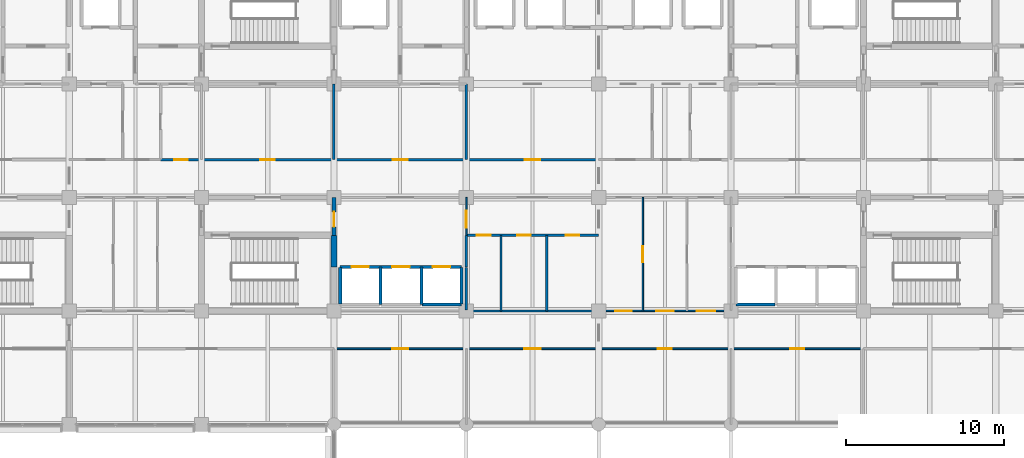
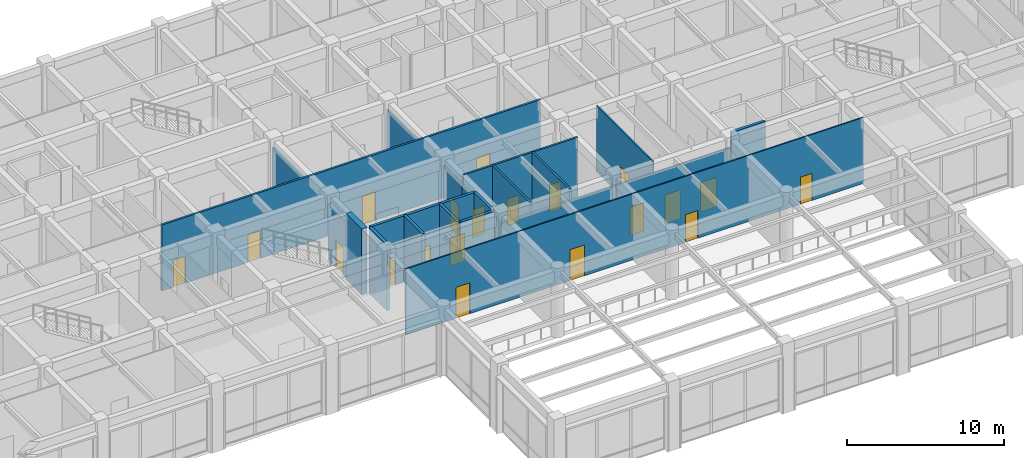
# One storey, part 36 of 58: 22 walls, 20 doors, 20 openings.
"""IFC4 building model written with IfcOpenShell, lengths in metres."""

from ifc_helpers import new_model, si_unit, direction, frame, frame_2d, origin, place, context, subcontext, project, spatial, rectangle, extrude, material, layer, layer_set, type_object, element, fill, save


model = new_model("IFC4")

# Units and contexts
model_context = context("Model", 3, precision=1e-05, world=origin(), true_north=direction((0.0, 1.0)))
body_context = subcontext(model_context, "Body", "Model", "MODEL_VIEW")
ifc_project = project(units=[si_unit("LENGTHUNIT", "METRE"), si_unit("AREAUNIT", "SQUARE_METRE"), si_unit("VOLUMEUNIT", "CUBIC_METRE"), si_unit("PLANEANGLEUNIT", "RADIAN"), si_unit("MASSUNIT", "GRAM", prefix="KILO")], contexts=[model_context])

# Site, building, storey
site_placement = place(None, origin())
site = spatial("IfcSite", under=ifc_project, at=site_placement, CompositionType="ELEMENT")
building_placement = place(site_placement, origin())
building = spatial("IfcBuilding", under=site, at=building_placement, Name="Chengyuan Square Courthouse", CompositionType="ELEMENT")
storey_placement = place(building_placement, frame((0.0, 0.0, 16.199951171875)))
storey = spatial("IfcBuildingStorey", under=building, at=storey_placement, Name="L04", CompositionType="ELEMENT", Elevation=16.199951171875)

# Wall, opening, door
ifc_material_1 = material(Name="Concrete C40", Category="concrete")
ifc_layer_1 = layer(ifc_material_1, 0.25)
ifc_layer_set_1 = layer_set([ifc_layer_1], Name="Concrete C40")
wall_type_1 = type_object("IfcWallType", Name="WL-FW1", PredefinedType="STANDARD", material=ifc_layer_set_1)
wall_1_placement = place(storey_placement, frame((67.199951171875, 91.199951171875, 0.0), z_axis=(0.0, 0.0, 1.0), x_axis=(0.0, 1.0, 0.0)))
wall_1 = element("IfcWall", 1, at=wall_1_placement, inside=storey, type_object=wall_type_1, Name="Interior Wall WL-L04-I1976", PredefinedType="STANDARD", context=body_context, shape_type="SweptSolid", body=[
    extrude(rectangle(XDim=2.400146484375, YDim=0.25, at=frame_2d((1.2001953125, 0.0))), origin(), (0.0, 0.0, 1.0), 4.3701171875),
])
opening_1_placement = place(wall_1_placement, frame((0.5400390625, 0.0, 0.0)))
opening_1 = element("IfcOpeningElement", 2, at=opening_1_placement, cuts=wall_1, Name="Opening DR-1639", PredefinedType="OPENING", context=body_context, shape_type="SweptSolid", body=[
    extrude(rectangle(XDim=0.949951171875, YDim=2.14990234375, at=frame_2d((0.47509765625, 1.074951171875))), frame((0.0, 0.136962890625, 0.0), z_axis=(0.0, -1.0, 0.0), x_axis=(1.0, 0.0, 0.0)), (0.0, 0.0, 1.0), 0.27392578125),
])
ifc_material_2 = material(Name="Steel Q235B Fire Door", Category="steel")
door_type_1 = type_object("IfcDoorType", Name="DT-12", OperationType="NOTDEFINED", PredefinedType="DOOR", material=ifc_material_2)
door_1_placement = place(opening_1_placement, origin())
door_1 = element("IfcDoor", 3, at=door_1_placement, inside=storey, type_object=door_type_1, Name="Interior Door DR-1639", OperationType="SINGLE_SWING_LEFT", OverallHeight=2.14990234375, OverallWidth=0.949951171875, PredefinedType="DOOR", context=body_context, shape_type="SweptSolid", body=[
    extrude(rectangle(XDim=0.949951171875, YDim=2.14990234375, at=frame_2d((0.47509765625, 1.074951171875))), frame((0.0, 0.02490234375, 0.0), z_axis=(0.0, -1.0, 0.0), x_axis=(1.0, 0.0, 0.0)), (0.0, 0.0, 1.0), 0.050048828125),
])
fill(opening_1, door_1)

# Wall, openings, doors
ifc_material_3 = material(Name="Deliberation Room Sound-Insulated Partition")
ifc_layer_2 = layer(ifc_material_3, 0.14990234375)
ifc_layer_set_2 = layer_set([ifc_layer_2], Name="Deliberation Room Sound-Insulated Partition")
wall_type_2 = type_object("IfcWallType", Name="WL-PT3", PredefinedType="STANDARD", material=ifc_layer_set_2)
wall_2_placement = place(storey_placement, frame((56.199951171875, 96.0, 0.0), z_axis=(0.0, 0.0, 1.0), x_axis=(1.0, 0.0, 0.0)))
wall_2 = element("IfcWall", 4, at=wall_2_placement, inside=storey, type_object=wall_type_2, Name="Interior Wall WL-L04-I1827", PredefinedType="STANDARD", context=body_context, shape_type="SweptSolid", body=[
    extrude(rectangle(XDim=27.800048828125, YDim=0.14990234375, at=frame_2d((13.89990234375, 0.0))), origin(), (0.0, 0.0, 1.0), 5.1201171875),
])
opening_2_placement = place(wall_2_placement, frame((0.8701171875, 0.0, 0.0)))
opening_2 = element("IfcOpeningElement", 5, at=opening_2_placement, cuts=wall_2, Name="Opening DR-1765", PredefinedType="OPENING", context=body_context, shape_type="SweptSolid", body=[
    extrude(rectangle(XDim=0.860107421875, YDim=2.10009765625, at=frame_2d((0.43017578125, 1.050048828125))), frame((0.0, 0.0869140625, 0.0), z_axis=(0.0, -1.0, 0.0), x_axis=(1.0, 0.0, 0.0)), (0.0, 0.0, 1.0), 0.173828125),
])
opening_3_placement = place(wall_2_placement, frame((6.340087890625, 0.0, 0.0)))
opening_3 = element("IfcOpeningElement", 6, at=opening_3_placement, cuts=wall_2, Name="Opening DR-1766", PredefinedType="OPENING", context=body_context, shape_type="SweptSolid", body=[
    extrude(rectangle(XDim=0.919921875, YDim=2.14990234375, at=frame_2d((0.4599609375, 1.074951171875))), frame((0.0, 0.0869140625, 0.0), z_axis=(0.0, -1.0, 0.0), x_axis=(1.0, 0.0, 0.0)), (0.0, 0.0, 1.0), 0.173828125),
])
opening_4_placement = place(wall_2_placement, frame((14.719970703125, 0.0, 0.0)))
opening_4 = element("IfcOpeningElement", 7, at=opening_4_placement, cuts=wall_2, Name="Opening DR-1767", PredefinedType="OPENING", context=body_context, shape_type="SweptSolid", body=[
    extrude(rectangle(XDim=0.9599609375, YDim=2.199951171875, at=frame_2d((0.47998046875, 1.10009765625))), frame((0.0, 0.0869140625, 0.0), z_axis=(0.0, -1.0, 0.0), x_axis=(1.0, 0.0, 0.0)), (0.0, 0.0, 1.0), 0.173828125),
])
opening_5_placement = place(wall_2_placement, frame((23.10009765625, 0.0, 0.0)))
opening_5 = element("IfcOpeningElement", 8, at=opening_5_placement, cuts=wall_2, Name="Opening DR-1768", PredefinedType="OPENING", context=body_context, shape_type="SweptSolid", body=[
    extrude(rectangle(XDim=1.0, YDim=2.25, at=frame_2d((0.5, 1.125))), frame((0.0, 0.0869140625, 0.0), z_axis=(0.0, -1.0, 0.0), x_axis=(1.0, 0.0, 0.0)), (0.0, 0.0, 1.0), 0.173828125),
])
ifc_material_4 = material(Name="Acoustic Solid-Core Timber Door", Category="wood")
door_type_2 = type_object("IfcDoorType", Name="DT-28", OperationType="NOTDEFINED", PredefinedType="DOOR", material=ifc_material_4)
door_2_placement = place(opening_2_placement, origin())
door_2 = element("IfcDoor", 9, at=door_2_placement, inside=storey, type_object=door_type_2, Name="Interior Door DR-1765", OperationType="SINGLE_SWING_LEFT", OverallHeight=2.10009765625, OverallWidth=0.860107421875, PredefinedType="DOOR", context=body_context, shape_type="SweptSolid", body=[
    extrude(rectangle(XDim=0.860107421875, YDim=2.10009765625, at=frame_2d((0.43017578125, 1.050048828125))), frame((0.0, 0.02490234375, 0.0), z_axis=(0.0, -1.0, 0.0), x_axis=(1.0, 0.0, 0.0)), (0.0, 0.0, 1.0), 0.050048828125),
])
fill(opening_2, door_2)
door_type_3 = type_object("IfcDoorType", Name="DT-29", OperationType="NOTDEFINED", PredefinedType="DOOR", material=ifc_material_4)
door_3_placement = place(opening_3_placement, origin())
door_3 = element("IfcDoor", 10, at=door_3_placement, inside=storey, type_object=door_type_3, Name="Interior Door DR-1766", OperationType="SINGLE_SWING_RIGHT", OverallHeight=2.14990234375, OverallWidth=0.919921875, PredefinedType="DOOR", context=body_context, shape_type="SweptSolid", body=[
    extrude(rectangle(XDim=0.919921875, YDim=2.14990234375, at=frame_2d((0.4599609375, 1.074951171875))), frame((0.0, 0.02490234375, 0.0), z_axis=(0.0, -1.0, 0.0), x_axis=(1.0, 0.0, 0.0)), (0.0, 0.0, 1.0), 0.050048828125),
])
fill(opening_3, door_3)
door_type_4 = type_object("IfcDoorType", Name="DT-30", OperationType="NOTDEFINED", PredefinedType="DOOR", material=ifc_material_4)
door_4_placement = place(opening_4_placement, origin())
door_4 = element("IfcDoor", 11, at=door_4_placement, inside=storey, type_object=door_type_4, Name="Interior Door DR-1767", OperationType="SINGLE_SWING_LEFT", OverallHeight=2.199951171875, OverallWidth=0.9599609375, PredefinedType="DOOR", context=body_context, shape_type="SweptSolid", body=[
    extrude(rectangle(XDim=0.9599609375, YDim=2.199951171875, at=frame_2d((0.47998046875, 1.10009765625))), frame((0.0, 0.02490234375, 0.0), z_axis=(0.0, -1.0, 0.0), x_axis=(1.0, 0.0, 0.0)), (0.0, 0.0, 1.0), 0.050048828125),
])
fill(opening_4, door_4)
door_type_5 = type_object("IfcDoorType", Name="DT-31", OperationType="NOTDEFINED", PredefinedType="DOOR", material=ifc_material_4)
door_5_placement = place(opening_5_placement, origin())
door_5 = element("IfcDoor", 12, at=door_5_placement, inside=storey, type_object=door_type_5, Name="Interior Door DR-1768", OperationType="SINGLE_SWING_RIGHT", OverallHeight=2.25, OverallWidth=1.0, PredefinedType="DOOR", context=body_context, shape_type="SweptSolid", body=[
    extrude(rectangle(XDim=1.0, YDim=2.25, at=frame_2d((0.5, 1.125))), frame((0.0, 0.02490234375, 0.0), z_axis=(0.0, -1.0, 0.0), x_axis=(1.0, 0.0, 0.0)), (0.0, 0.0, 1.0), 0.050048828125),
])
fill(opening_5, door_5)

# Walls
for number, where, z_axis, x_axis, name in (
    (13, (67.199951171875, 96.0, 0.0), (0.0, 0.0, 1.0), (0.0, 1.0, 0.0), "Interior Wall WL-L04-I1977"),
    (14, (75.60009765625, 96.0, 0.0), (0.0, 0.0, 1.0), (0.0, 1.0, 0.0), "Interior Wall WL-L04-I1994"),
):
    element("IfcWall", number, at=place(storey_placement, frame(where, z_axis=z_axis, x_axis=x_axis)), inside=storey, type_object=wall_type_2, Name=name, PredefinedType="STANDARD", context=body_context, shape_type="SweptSolid", body=[
        extrude(rectangle(XDim=4.800048828125, YDim=0.14990234375, at=frame_2d((2.39990234375, 0.0))), origin(), (0.0, 0.0, 1.0), 4.3701171875),
    ])
ifc_material_5 = material(Name="Moisture-Resistant Masonry Wet-Room Partition", Category="masonry")
ifc_layer_3 = layer(ifc_material_5, 0.139892578125)
ifc_layer_set_3 = layer_set([ifc_layer_3], Name="Moisture-Resistant Masonry Wet-Room Partition")
wall_type_3 = type_object("IfcWallType", Name="WL-PT4", PredefinedType="STANDARD", material=ifc_layer_set_3)
wall_3_placement = place(storey_placement, frame((75.60009765625, 86.39990234375, 0.0), z_axis=(0.0, 0.0, 1.0), x_axis=(1.0, 0.0, 0.0)))
element("IfcWall", 15, at=wall_3_placement, inside=storey, type_object=wall_type_3, Name="Interior Wall WL-L04-I1785", PredefinedType="STANDARD", context=body_context, shape_type="SweptSolid", body=[
    extrude(rectangle(XDim=8.39990234375, YDim=0.139892578125, at=frame_2d((4.199951171875, 0.0))), origin(), (0.0, 0.0, 1.0), 4.27001953125),
])

# Wall, openings, doors
wall_4_placement = place(storey_placement, frame((75.60009765625, 91.199951171875, 0.0), z_axis=(0.0, 0.0, 1.0), x_axis=(1.0, 0.0, 0.0)))
wall_4 = element("IfcWall", 16, at=wall_4_placement, inside=storey, type_object=wall_type_3, Name="Interior Wall WL-L04-I1805", PredefinedType="STANDARD", context=body_context, shape_type="SweptSolid", body=[
    extrude(rectangle(XDim=8.39990234375, YDim=0.139892578125, at=frame_2d((4.199951171875, 0.0))), origin(), (0.0, 0.0, 1.0), 5.1201171875),
])
opening_6_placement = place(wall_4_placement, frame((0.64990234375, 0.0, 0.0)))
opening_6 = element("IfcOpeningElement", 17, at=opening_6_placement, cuts=wall_4, Name="Opening DR-1738", PredefinedType="OPENING", context=body_context, shape_type="SweptSolid", body=[
    extrude(rectangle(XDim=0.89990234375, YDim=2.14990234375, at=frame_2d((0.449951171875, 1.074951171875))), frame((0.0, 0.08203125, 0.0), z_axis=(0.0, -1.0, 0.0), x_axis=(1.0, 0.0, 0.0)), (0.0, 0.0, 1.0), 0.163818359375),
])
opening_7_placement = place(wall_4_placement, frame((3.219970703125, 0.0, 0.0)))
opening_7 = element("IfcOpeningElement", 18, at=opening_7_placement, cuts=wall_4, Name="Opening DR-1739", PredefinedType="OPENING", context=body_context, shape_type="SweptSolid", body=[
    extrude(rectangle(XDim=0.860107421875, YDim=2.10009765625, at=frame_2d((0.43017578125, 1.050048828125))), frame((0.0, 0.08203125, 0.0), z_axis=(0.0, -1.0, 0.0), x_axis=(1.0, 0.0, 0.0)), (0.0, 0.0, 1.0), 0.163818359375),
])
opening_8_placement = place(wall_4_placement, frame((6.320068359375, 0.0, 0.0)))
opening_8 = element("IfcOpeningElement", 19, at=opening_8_placement, cuts=wall_4, Name="Opening DR-1740", PredefinedType="OPENING", context=body_context, shape_type="SweptSolid", body=[
    extrude(rectangle(XDim=0.860107421875, YDim=2.10009765625, at=frame_2d((0.43017578125, 1.050048828125))), frame((0.0, 0.08203125, 0.0), z_axis=(0.0, -1.0, 0.0), x_axis=(1.0, 0.0, 0.0)), (0.0, 0.0, 1.0), 0.163818359375),
])
door_type_6 = type_object("IfcDoorType", Name="DT-27", OperationType="NOTDEFINED", PredefinedType="DOOR", material=ifc_material_4)
door_6_placement = place(opening_6_placement, origin())
door_6 = element("IfcDoor", 20, at=door_6_placement, inside=storey, type_object=door_type_6, Name="Interior Door DR-1738", OperationType="SINGLE_SWING_LEFT", OverallHeight=2.14990234375, OverallWidth=0.89990234375, PredefinedType="DOOR", context=body_context, shape_type="SweptSolid", body=[
    extrude(rectangle(XDim=0.89990234375, YDim=2.14990234375, at=frame_2d((0.449951171875, 1.074951171875))), frame((0.0, 0.02490234375, 0.0), z_axis=(0.0, -1.0, 0.0), x_axis=(1.0, 0.0, 0.0)), (0.0, 0.0, 1.0), 0.050048828125),
])
fill(opening_6, door_6)
door_7_placement = place(opening_7_placement, origin())
door_7 = element("IfcDoor", 21, at=door_7_placement, inside=storey, type_object=door_type_2, Name="Interior Door DR-1739", OperationType="SINGLE_SWING_RIGHT", OverallHeight=2.10009765625, OverallWidth=0.860107421875, PredefinedType="DOOR", context=body_context, shape_type="SweptSolid", body=[
    extrude(rectangle(XDim=0.860107421875, YDim=2.10009765625, at=frame_2d((0.43017578125, 1.050048828125))), frame((0.0, 0.02490234375, 0.0), z_axis=(0.0, -1.0, 0.0), x_axis=(1.0, 0.0, 0.0)), (0.0, 0.0, 1.0), 0.050048828125),
])
fill(opening_7, door_7)
door_8_placement = place(opening_8_placement, origin())
door_8 = element("IfcDoor", 22, at=door_8_placement, inside=storey, type_object=door_type_2, Name="Interior Door DR-1740", OperationType="SINGLE_SWING_LEFT", OverallHeight=2.10009765625, OverallWidth=0.860107421875, PredefinedType="DOOR", context=body_context, shape_type="SweptSolid", body=[
    extrude(rectangle(XDim=0.860107421875, YDim=2.10009765625, at=frame_2d((0.43017578125, 1.050048828125))), frame((0.0, 0.02490234375, 0.0), z_axis=(0.0, -1.0, 0.0), x_axis=(1.0, 0.0, 0.0)), (0.0, 0.0, 1.0), 0.050048828125),
])
fill(opening_8, door_8)

# Walls
wall_5_placement = place(storey_placement, frame((75.60009765625, 86.449951171875, 0.0), z_axis=(0.0, 0.0, 1.0), x_axis=(0.0, 1.0, 0.0)))
element("IfcWall", 23, at=wall_5_placement, inside=storey, type_object=wall_type_3, Name="Interior Wall WL-L04-I1991", PredefinedType="STANDARD", context=body_context, shape_type="SweptSolid", body=[
    extrude(rectangle(XDim=2.699951171875, YDim=0.139892578125, at=frame_2d((1.35009765625, 0.0))), origin(), (0.0, 0.0, 1.0), 4.3701171875),
])
wall_6_placement = place(storey_placement, frame((75.60009765625, 89.199951171875, 0.0), z_axis=(0.0, 0.0, 1.0), x_axis=(0.0, 1.0, 0.0)))
element("IfcWall", 24, at=wall_6_placement, inside=storey, type_object=wall_type_3, Name="Interior Wall WL-L04-I1992", PredefinedType="STANDARD", context=body_context, shape_type="SweptSolid", body=[
    extrude(rectangle(XDim=2.0, YDim=0.139892578125, at=frame_2d((1.0, 0.0))), origin(), (0.0, 0.0, 1.0), 4.3701171875),
])
for number, where, z_axis, x_axis, name in (
    (25, (77.800048828125, 86.39990234375, 0.0), (0.0, 0.0, 1.0), (0.0, 1.0, 0.0), "Interior Wall WL-L04-I1999"),
    (26, (80.699951171875, 86.39990234375, 0.0), (0.0, 0.0, 1.0), (0.0, 1.0, 0.0), "Interior Wall WL-L04-I2002"),
):
    element("IfcWall", number, at=place(storey_placement, frame(where, z_axis=z_axis, x_axis=x_axis)), inside=storey, type_object=wall_type_3, Name=name, PredefinedType="STANDARD", context=body_context, shape_type="SweptSolid", body=[
        extrude(rectangle(XDim=4.800048828125, YDim=0.139892578125, at=frame_2d((2.39990234375, 0.0))), origin(), (0.0, 0.0, 1.0), 5.1201171875),
    ])

# Wall, openings, doors
ifc_material_6 = material(Name="Gypsum Plasterboard Acoustic Stud Partition")
ifc_layer_4 = layer(ifc_material_6, 0.10009765625)
ifc_layer_set_4 = layer_set([ifc_layer_4], Name="Gypsum Plasterboard Acoustic Stud Partition")
wall_type_4 = type_object("IfcWallType", Name="WL-PT6", PredefinedType="STANDARD", material=ifc_layer_set_4)
wall_7_placement = place(storey_placement, frame((67.199951171875, 84.0, 0.0), z_axis=(0.0, 0.0, 1.0), x_axis=(1.0, 0.0, 0.0)))
wall_7 = element("IfcWall", 27, at=wall_7_placement, inside=storey, type_object=wall_type_4, Name="Interior Wall WL-L04-I1775", PredefinedType="STANDARD", context=body_context, shape_type="SweptSolid", body=[
    extrude(rectangle(XDim=33.60009765625, YDim=0.10009765625, at=frame_2d((16.800048828125, 0.0))), origin(), (0.0, 0.0, 1.0), 5.1201171875),
])
opening_9_placement = place(wall_7_placement, frame((3.68994140625, 0.0, 0.0)))
opening_9 = element("IfcOpeningElement", 28, at=opening_9_placement, cuts=wall_7, Name="Opening DR-1880", PredefinedType="OPENING", context=body_context, shape_type="SweptSolid", body=[
    extrude(rectangle(XDim=1.02001953125, YDim=2.39990234375, at=frame_2d((0.510009765625, 1.199951171875))), frame((0.0, 0.06201171875, 0.0), z_axis=(0.0, -1.0, 0.0), x_axis=(1.0, 0.0, 0.0)), (0.0, 0.0, 1.0), 0.1240234375),
])
opening_10_placement = place(wall_7_placement, frame((12.070068359375, 0.0, 0.0)))
opening_10 = element("IfcOpeningElement", 29, at=opening_10_placement, cuts=wall_7, Name="Opening DR-1881", PredefinedType="OPENING", context=body_context, shape_type="SweptSolid", body=[
    extrude(rectangle(XDim=1.06005859375, YDim=2.39990234375, at=frame_2d((0.530029296875, 1.199951171875))), frame((0.0, 0.06201171875, 0.0), z_axis=(0.0, -1.0, 0.0), x_axis=(1.0, 0.0, 0.0)), (0.0, 0.0, 1.0), 0.1240234375),
])
opening_11_placement = place(wall_7_placement, frame((20.550048828125, 0.0, 0.0)))
opening_11 = element("IfcOpeningElement", 30, at=opening_11_placement, cuts=wall_7, Name="Opening DR-1883", PredefinedType="OPENING", context=body_context, shape_type="SweptSolid", body=[
    extrude(rectangle(XDim=0.89990234375, YDim=2.14990234375, at=frame_2d((0.449951171875, 1.074951171875))), frame((0.0, 0.06201171875, 0.0), z_axis=(0.0, -1.0, 0.0), x_axis=(1.0, 0.0, 0.0)), (0.0, 0.0, 1.0), 0.1240234375),
])
opening_12_placement = place(wall_7_placement, frame((28.969970703125, 0.0, 0.0)))
opening_12 = element("IfcOpeningElement", 31, at=opening_12_placement, cuts=wall_7, Name="Opening DR-1884", PredefinedType="OPENING", context=body_context, shape_type="SweptSolid", body=[
    extrude(rectangle(XDim=0.860107421875, YDim=2.10009765625, at=frame_2d((0.43017578125, 1.050048828125))), frame((0.0, 0.06201171875, 0.0), z_axis=(0.0, -1.0, 0.0), x_axis=(1.0, 0.0, 0.0)), (0.0, 0.0, 1.0), 0.1240234375),
])
door_9_placement = place(opening_11_placement, origin())
door_9 = element("IfcDoor", 32, at=door_9_placement, inside=storey, type_object=door_type_6, Name="Interior Door DR-1883", OperationType="SINGLE_SWING_LEFT", OverallHeight=2.14990234375, OverallWidth=0.89990234375, PredefinedType="DOOR", context=body_context, shape_type="SweptSolid", body=[
    extrude(rectangle(XDim=0.89990234375, YDim=2.14990234375, at=frame_2d((0.449951171875, 1.074951171875))), frame((0.0, 0.02490234375, 0.0), z_axis=(0.0, -1.0, 0.0), x_axis=(1.0, 0.0, 0.0)), (0.0, 0.0, 1.0), 0.050048828125),
])
fill(opening_11, door_9)
door_10_placement = place(opening_12_placement, origin())
door_10 = element("IfcDoor", 33, at=door_10_placement, inside=storey, type_object=door_type_2, Name="Interior Door DR-1884", OperationType="SINGLE_SWING_RIGHT", OverallHeight=2.10009765625, OverallWidth=0.860107421875, PredefinedType="DOOR", context=body_context, shape_type="SweptSolid", body=[
    extrude(rectangle(XDim=0.860107421875, YDim=2.10009765625, at=frame_2d((0.43017578125, 1.050048828125))), frame((0.0, 0.02490234375, 0.0), z_axis=(0.0, -1.0, 0.0), x_axis=(1.0, 0.0, 0.0)), (0.0, 0.0, 1.0), 0.050048828125),
])
fill(opening_12, door_10)
door_type_7 = type_object("IfcDoorType", Name="DT-41", OperationType="NOTDEFINED", PredefinedType="DOOR", material=ifc_material_4)
door_11_placement = place(opening_9_placement, origin())
door_11 = element("IfcDoor", 34, at=door_11_placement, inside=storey, type_object=door_type_7, Name="Interior Door DR-1880", OperationType="SINGLE_SWING_RIGHT", OverallHeight=2.39990234375, OverallWidth=1.02001953125, PredefinedType="DOOR", context=body_context, shape_type="SweptSolid", body=[
    extrude(rectangle(XDim=1.02001953125, YDim=2.39990234375, at=frame_2d((0.510009765625, 1.199951171875))), frame((0.0, 0.02490234375, 0.0), z_axis=(0.0, -1.0, 0.0), x_axis=(1.0, 0.0, 0.0)), (0.0, 0.0, 1.0), 0.050048828125),
])
fill(opening_9, door_11)
door_type_8 = type_object("IfcDoorType", Name="DT-42", OperationType="NOTDEFINED", PredefinedType="DOOR", material=ifc_material_4)
door_12_placement = place(opening_10_placement, origin())
door_12 = element("IfcDoor", 35, at=door_12_placement, inside=storey, type_object=door_type_8, Name="Interior Door DR-1881", OperationType="SINGLE_SWING_LEFT", OverallHeight=2.39990234375, OverallWidth=1.06005859375, PredefinedType="DOOR", context=body_context, shape_type="SweptSolid", body=[
    extrude(rectangle(XDim=1.06005859375, YDim=2.39990234375, at=frame_2d((0.530029296875, 1.199951171875))), frame((0.0, 0.02490234375, 0.0), z_axis=(0.0, -1.0, 0.0), x_axis=(1.0, 0.0, 0.0)), (0.0, 0.0, 1.0), 0.050048828125),
])
fill(opening_10, door_12)

wall_8_placement = place(storey_placement, frame((84.0, 86.39990234375, 0.0), z_axis=(0.0, 0.0, 1.0), x_axis=(1.0, 0.0, 0.0)))
wall_8 = element("IfcWall", 36, at=wall_8_placement, inside=storey, type_object=wall_type_4, Name="Interior Wall WL-L04-I1786", PredefinedType="STANDARD", context=body_context, shape_type="SweptSolid", body=[
    extrude(rectangle(XDim=8.39990234375, YDim=0.10009765625, at=frame_2d((4.199951171875, 0.0))), origin(), (0.0, 0.0, 1.0), 4.27001953125),
])
opening_13_placement = place(wall_8_placement, frame((1.06494140625, 0.0, 0.0)))
opening_13 = element("IfcOpeningElement", 37, at=opening_13_placement, cuts=wall_8, Name="Opening DR-1837", PredefinedType="OPENING", context=body_context, shape_type="SweptSolid", body=[
    extrude(rectangle(XDim=1.0400390625, YDim=2.199951171875, at=frame_2d((0.52001953125, 1.10009765625))), frame((0.0, 0.06201171875, 0.0), z_axis=(0.0, -1.0, 0.0), x_axis=(1.0, 0.0, 0.0)), (0.0, 0.0, 1.0), 0.1240234375),
])
opening_14_placement = place(wall_8_placement, frame((3.639892578125, 0.0, 0.0)))
opening_14 = element("IfcOpeningElement", 38, at=opening_14_placement, cuts=wall_8, Name="Opening DR-1839", PredefinedType="OPENING", context=body_context, shape_type="SweptSolid", body=[
    extrude(rectangle(XDim=1.1201171875, YDim=2.25, at=frame_2d((0.56005859375, 1.125))), frame((0.0, 0.06201171875, 0.0), z_axis=(0.0, -1.0, 0.0), x_axis=(1.0, 0.0, 0.0)), (0.0, 0.0, 1.0), 0.1240234375),
])
opening_15_placement = place(wall_8_placement, frame((6.235107421875, 0.0, 0.0)))
opening_15 = element("IfcOpeningElement", 39, at=opening_15_placement, cuts=wall_8, Name="Opening DR-1840", PredefinedType="OPENING", context=body_context, shape_type="SweptSolid", body=[
    extrude(rectangle(XDim=1.159912109375, YDim=2.300048828125, at=frame_2d((0.580078125, 1.14990234375))), frame((0.0, 0.06201171875, 0.0), z_axis=(0.0, -1.0, 0.0), x_axis=(1.0, 0.0, 0.0)), (0.0, 0.0, 1.0), 0.1240234375),
])
door_type_9 = type_object("IfcDoorType", Name="DT-32", OperationType="NOTDEFINED", PredefinedType="DOOR", material=ifc_material_4)
door_13_placement = place(opening_13_placement, origin())
door_13 = element("IfcDoor", 40, at=door_13_placement, inside=storey, type_object=door_type_9, Name="Interior Door DR-1837", OperationType="SINGLE_SWING_RIGHT", OverallHeight=2.199951171875, OverallWidth=1.0400390625, PredefinedType="DOOR", context=body_context, shape_type="SweptSolid", body=[
    extrude(rectangle(XDim=1.0400390625, YDim=2.199951171875, at=frame_2d((0.52001953125, 1.10009765625))), frame((0.0, 0.02490234375, 0.0), z_axis=(0.0, -1.0, 0.0), x_axis=(1.0, 0.0, 0.0)), (0.0, 0.0, 1.0), 0.050048828125),
])
fill(opening_13, door_13)
door_type_10 = type_object("IfcDoorType", Name="DT-34", OperationType="NOTDEFINED", PredefinedType="DOOR", material=ifc_material_4)
door_14_placement = place(opening_14_placement, origin())
door_14 = element("IfcDoor", 41, at=door_14_placement, inside=storey, type_object=door_type_10, Name="Interior Door DR-1839", OperationType="SINGLE_SWING_RIGHT", OverallHeight=2.25, OverallWidth=1.1201171875, PredefinedType="DOOR", context=body_context, shape_type="SweptSolid", body=[
    extrude(rectangle(XDim=1.1201171875, YDim=2.25, at=frame_2d((0.56005859375, 1.125))), frame((0.0, 0.02490234375, 0.0), z_axis=(0.0, -1.0, 0.0), x_axis=(1.0, 0.0, 0.0)), (0.0, 0.0, 1.0), 0.050048828125),
])
fill(opening_14, door_14)
door_type_11 = type_object("IfcDoorType", Name="DT-35", OperationType="NOTDEFINED", PredefinedType="DOOR", material=ifc_material_4)
door_15_placement = place(opening_15_placement, origin())
door_15 = element("IfcDoor", 42, at=door_15_placement, inside=storey, type_object=door_type_11, Name="Interior Door DR-1840", OperationType="SINGLE_SWING_LEFT", OverallHeight=2.300048828125, OverallWidth=1.159912109375, PredefinedType="DOOR", context=body_context, shape_type="SweptSolid", body=[
    extrude(rectangle(XDim=1.159912109375, YDim=2.300048828125, at=frame_2d((0.580078125, 1.14990234375))), frame((0.0, 0.02490234375, 0.0), z_axis=(0.0, -1.0, 0.0), x_axis=(1.0, 0.0, 0.0)), (0.0, 0.0, 1.0), 0.050048828125),
])
fill(opening_15, door_15)

# Wall, opening, door
wall_9_placement = place(storey_placement, frame((75.60009765625, 91.199951171875, 0.0), z_axis=(0.0, 0.0, 1.0), x_axis=(0.0, 1.0, 0.0)))
wall_9 = element("IfcWall", 43, at=wall_9_placement, inside=storey, type_object=wall_type_4, Name="Interior Wall WL-L04-I1993", PredefinedType="STANDARD", context=body_context, shape_type="SweptSolid", body=[
    extrude(rectangle(XDim=2.400146484375, YDim=0.10009765625, at=frame_2d((1.2001953125, 0.0))), origin(), (0.0, 0.0, 1.0), 4.3701171875),
])
opening_16_placement = place(wall_9_placement, frame((0.485107421875, 0.0, 0.0)))
opening_16 = element("IfcOpeningElement", 44, at=opening_16_placement, cuts=wall_9, Name="Opening DR-1694", PredefinedType="OPENING", context=body_context, shape_type="SweptSolid", body=[
    extrude(rectangle(XDim=1.06005859375, YDim=2.39990234375, at=frame_2d((0.530029296875, 1.199951171875))), frame((0.0, 0.06201171875, 0.0), z_axis=(0.0, -1.0, 0.0), x_axis=(1.0, 0.0, 0.0)), (0.0, 0.0, 1.0), 0.1240234375),
])
door_16_placement = place(opening_16_placement, origin())
door_16 = element("IfcDoor", 45, at=door_16_placement, inside=storey, type_object=door_type_8, Name="Interior Door DR-1694", OperationType="SINGLE_SWING_LEFT", OverallHeight=2.39990234375, OverallWidth=1.06005859375, PredefinedType="DOOR", context=body_context, shape_type="SweptSolid", body=[
    extrude(rectangle(XDim=1.06005859375, YDim=2.39990234375, at=frame_2d((0.530029296875, 1.199951171875))), frame((0.0, 0.02490234375, 0.0), z_axis=(0.0, -1.0, 0.0), x_axis=(1.0, 0.0, 0.0)), (0.0, 0.0, 1.0), 0.050048828125),
])
fill(opening_16, door_16)

wall_10_placement = place(storey_placement, frame((86.800048828125, 86.39990234375, 0.0), z_axis=(0.0, 0.0, 1.0), x_axis=(0.0, 1.0, 0.0)))
wall_10 = element("IfcWall", 46, at=wall_10_placement, inside=storey, type_object=wall_type_4, Name="Interior Wall WL-L04-I2008", PredefinedType="STANDARD", context=body_context, shape_type="SweptSolid", body=[
    extrude(rectangle(XDim=7.2001953125, YDim=0.10009765625, at=frame_2d((3.60009765625, 0.0))), origin(), (0.0, 0.0, 1.0), 5.1201171875),
])
opening_17_placement = place(wall_10_placement, frame((3.10009765625, 0.0, 0.0)))
opening_17 = element("IfcOpeningElement", 47, at=opening_17_placement, cuts=wall_10, Name="Opening DR-1836", PredefinedType="OPENING", context=body_context, shape_type="SweptSolid", body=[
    extrude(rectangle(XDim=1.0, YDim=2.25, at=frame_2d((0.5, 1.125))), frame((0.0, 0.06201171875, 0.0), z_axis=(0.0, -1.0, 0.0), x_axis=(1.0, 0.0, 0.0)), (0.0, 0.0, 1.0), 0.1240234375),
])
door_17_placement = place(opening_17_placement, origin())
door_17 = element("IfcDoor", 48, at=door_17_placement, inside=storey, type_object=door_type_5, Name="Interior Door DR-1836", OperationType="SINGLE_SWING_LEFT", OverallHeight=2.25, OverallWidth=1.0, PredefinedType="DOOR", context=body_context, shape_type="SweptSolid", body=[
    extrude(rectangle(XDim=1.0, YDim=2.25, at=frame_2d((0.5, 1.125))), frame((0.0, 0.02490234375, 0.0), z_axis=(0.0, -1.0, 0.0), x_axis=(1.0, 0.0, 0.0)), (0.0, 0.0, 1.0), 0.050048828125),
])
fill(opening_17, door_17)

# Walls
ifc_material_7 = material(Name="Reinforced Masonry Shaft Enclosure", Category="masonry")
ifc_layer_5 = layer(ifc_material_7, 0.199951171875)
ifc_layer_set_5 = layer_set([ifc_layer_5], Name="Reinforced Masonry Shaft Enclosure")
wall_type_5 = type_object("IfcWallType", Name="WL-SH1", PredefinedType="STANDARD", material=ifc_layer_set_5)
for number, where, z_axis, x_axis, name in (
    (49, (72.800048828125, 86.800048828125, 0.0), (0.0, 0.0, 1.0), (1.0, 0.0, 0.0), "Interior Wall WL-L04-I1796"),
    (50, (92.699951171875, 86.800048828125, 0.0), (0.0, 0.0, 1.0), (1.0, 0.0, 0.0), "Interior Wall WL-L04-I1797"),
):
    element("IfcWall", number, at=place(storey_placement, frame(where, z_axis=z_axis, x_axis=x_axis)), inside=storey, type_object=wall_type_5, Name=name, PredefinedType="STANDARD", context=body_context, shape_type="SweptSolid", body=[
        extrude(rectangle(XDim=2.5, YDim=0.199951171875, at=frame_2d((1.25, 0.0))), origin(), (0.0, 0.0, 1.0), 5.1201171875),
    ])

# Wall, openings, doors
wall_11_placement = place(storey_placement, frame((67.60009765625, 89.199951171875, 0.0), z_axis=(0.0, 0.0, 1.0), x_axis=(1.0, 0.0, 0.0)))
wall_11 = element("IfcWall", 51, at=wall_11_placement, inside=storey, type_object=wall_type_5, Name="Interior Wall WL-L04-I1800", PredefinedType="STANDARD", context=body_context, shape_type="SweptSolid", body=[
    extrude(rectangle(XDim=7.699951171875, YDim=0.199951171875, at=frame_2d((3.85009765625, 0.0))), origin(), (0.0, 0.0, 1.0), 5.1201171875),
])
opening_18_placement = place(wall_11_placement, frame((0.72509765625, 0.0, 0.0)))
opening_18 = element("IfcOpeningElement", 52, at=opening_18_placement, cuts=wall_11, Name="Opening LD-077", PredefinedType="OPENING", context=body_context, shape_type="SweptSolid", body=[
    extrude(rectangle(XDim=1.10009765625, YDim=2.14990234375, at=frame_2d((0.550048828125, 1.074951171875))), frame((0.0, 0.112060546875, 0.0), z_axis=(0.0, -1.0, 0.0), x_axis=(1.0, 0.0, 0.0)), (0.0, 0.0, 1.0), 0.223876953125),
])
opening_19_placement = place(wall_11_placement, frame((3.300048828125, 0.0, 0.0)))
opening_19 = element("IfcOpeningElement", 53, at=opening_19_placement, cuts=wall_11, Name="Opening LD-078", PredefinedType="OPENING", context=body_context, shape_type="SweptSolid", body=[
    extrude(rectangle(XDim=1.10009765625, YDim=2.14990234375, at=frame_2d((0.550048828125, 1.074951171875))), frame((0.0, 0.112060546875, 0.0), z_axis=(0.0, -1.0, 0.0), x_axis=(1.0, 0.0, 0.0)), (0.0, 0.0, 1.0), 0.223876953125),
])
opening_20_placement = place(wall_11_placement, frame((5.875, 0.0, 0.0)))
opening_20 = element("IfcOpeningElement", 54, at=opening_20_placement, cuts=wall_11, Name="Opening LD-079", PredefinedType="OPENING", context=body_context, shape_type="SweptSolid", body=[
    extrude(rectangle(XDim=1.10009765625, YDim=2.14990234375, at=frame_2d((0.550048828125, 1.074951171875))), frame((0.0, 0.112060546875, 0.0), z_axis=(0.0, -1.0, 0.0), x_axis=(1.0, 0.0, 0.0)), (0.0, 0.0, 1.0), 0.223876953125),
])
ifc_material_8 = material(Name="Stainless Steel S30408 Lift Landing Door", Category="steel")
door_type_12 = type_object("IfcDoorType", Name="DT-06", OperationType="DOUBLE_DOOR_SLIDING", PredefinedType="DOOR", material=ifc_material_8)
door_18_placement = place(opening_18_placement, origin())
door_18 = element("IfcDoor", 55, at=door_18_placement, inside=storey, type_object=door_type_12, Name="Lift Landing Door LF-P1 L04", OperationType="DOUBLE_DOOR_SLIDING", OverallHeight=2.14990234375, OverallWidth=1.10009765625, PredefinedType="DOOR", context=body_context, shape_type="SweptSolid", body=[
    extrude(rectangle(XDim=1.10009765625, YDim=2.14990234375, at=frame_2d((0.550048828125, 1.074951171875))), frame((0.0, 0.02490234375, 0.0), z_axis=(0.0, -1.0, 0.0), x_axis=(1.0, 0.0, 0.0)), (0.0, 0.0, 1.0), 0.050048828125),
])
fill(opening_18, door_18)
door_19_placement = place(opening_19_placement, origin())
door_19 = element("IfcDoor", 56, at=door_19_placement, inside=storey, type_object=door_type_12, Name="Lift Landing Door LF-P2 L04", OperationType="DOUBLE_DOOR_SLIDING", OverallHeight=2.14990234375, OverallWidth=1.10009765625, PredefinedType="DOOR", context=body_context, shape_type="SweptSolid", body=[
    extrude(rectangle(XDim=1.10009765625, YDim=2.14990234375, at=frame_2d((0.550048828125, 1.074951171875))), frame((0.0, 0.02490234375, 0.0), z_axis=(0.0, -1.0, 0.0), x_axis=(1.0, 0.0, 0.0)), (0.0, 0.0, 1.0), 0.050048828125),
])
fill(opening_19, door_19)
door_20_placement = place(opening_20_placement, origin())
door_20 = element("IfcDoor", 57, at=door_20_placement, inside=storey, type_object=door_type_12, Name="Lift Landing Door LF-P3 L04", OperationType="DOUBLE_DOOR_SLIDING", OverallHeight=2.14990234375, OverallWidth=1.10009765625, PredefinedType="DOOR", context=body_context, shape_type="SweptSolid", body=[
    extrude(rectangle(XDim=1.10009765625, YDim=2.14990234375, at=frame_2d((0.550048828125, 1.074951171875))), frame((0.0, 0.02490234375, 0.0), z_axis=(0.0, -1.0, 0.0), x_axis=(1.0, 0.0, 0.0)), (0.0, 0.0, 1.0), 0.050048828125),
])
fill(opening_20, door_20)

# Walls
wall_12_placement = place(storey_placement, frame((67.60009765625, 86.85009765625, 0.0), z_axis=(0.0, 0.0, 1.0), x_axis=(0.0, 1.0, 0.0)))
element("IfcWall", 58, at=wall_12_placement, inside=storey, type_object=wall_type_5, Name="Interior Wall WL-L04-I1982", PredefinedType="STANDARD", context=body_context, shape_type="SweptSolid", body=[
    extrude(rectangle(XDim=2.2998046875, YDim=0.199951171875, at=frame_2d((1.14990234375, 0.0))), origin(), (0.0, 0.0, 1.0), 5.1201171875),
])
for number, where, z_axis, x_axis, name in (
    (59, (70.14990234375, 86.800048828125, 0.0), (0.0, 0.0, 1.0), (0.0, 1.0, 0.0), "Interior Wall WL-L04-I1984"),
    (60, (72.75, 86.800048828125, 0.0), (0.0, 0.0, 1.0), (0.0, 1.0, 0.0), "Interior Wall WL-L04-I1988"),
):
    element("IfcWall", number, at=place(storey_placement, frame(where, z_axis=z_axis, x_axis=x_axis)), inside=storey, type_object=wall_type_5, Name=name, PredefinedType="STANDARD", context=body_context, shape_type="SweptSolid", body=[
        extrude(rectangle(XDim=2.39990234375, YDim=0.199951171875, at=frame_2d((1.199951171875, 0.0))), origin(), (0.0, 0.0, 1.0), 5.1201171875),
    ])
wall_13_placement = place(storey_placement, frame((75.300048828125, 86.85009765625, 0.0), z_axis=(0.0, 0.0, 1.0), x_axis=(0.0, 1.0, 0.0)))
element("IfcWall", 61, at=wall_13_placement, inside=storey, type_object=wall_type_5, Name="Interior Wall WL-L04-I1989", PredefinedType="STANDARD", context=body_context, shape_type="SweptSolid", body=[
    extrude(rectangle(XDim=2.2998046875, YDim=0.199951171875, at=frame_2d((1.14990234375, 0.0))), origin(), (0.0, 0.0, 1.0), 5.1201171875),
])
ifc_material_9 = material(Name="Concrete C50", Category="concrete")
ifc_layer_6 = layer(ifc_material_9, 0.39990234375)
ifc_layer_set_6 = layer_set([ifc_layer_6], Name="Concrete C50")
wall_type_6 = type_object("IfcWallType", Name="WL-SW1", PredefinedType="SHEAR", material=ifc_layer_set_6)
wall_14_placement = place(storey_placement, frame((67.199951171875, 89.199951171875, 0.0), z_axis=(0.0, 0.0, 1.0), x_axis=(0.0, 1.0, 0.0)))
element("IfcWall", 62, at=wall_14_placement, inside=storey, type_object=wall_type_6, Name="Interior Wall WL-L04-I1975", PredefinedType="SHEAR", context=body_context, shape_type="SweptSolid", body=[
    extrude(rectangle(XDim=2.0, YDim=0.39990234375, at=frame_2d((1.0, 0.0))), origin(), (0.0, 0.0, 1.0), 5.1201171875),
])

save(model, "model.ifc")
